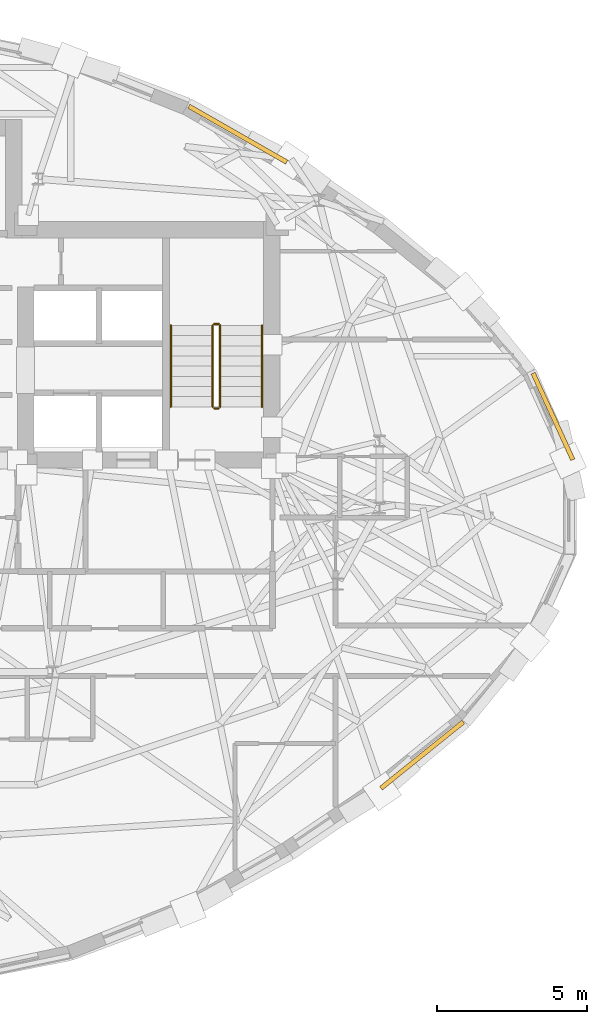
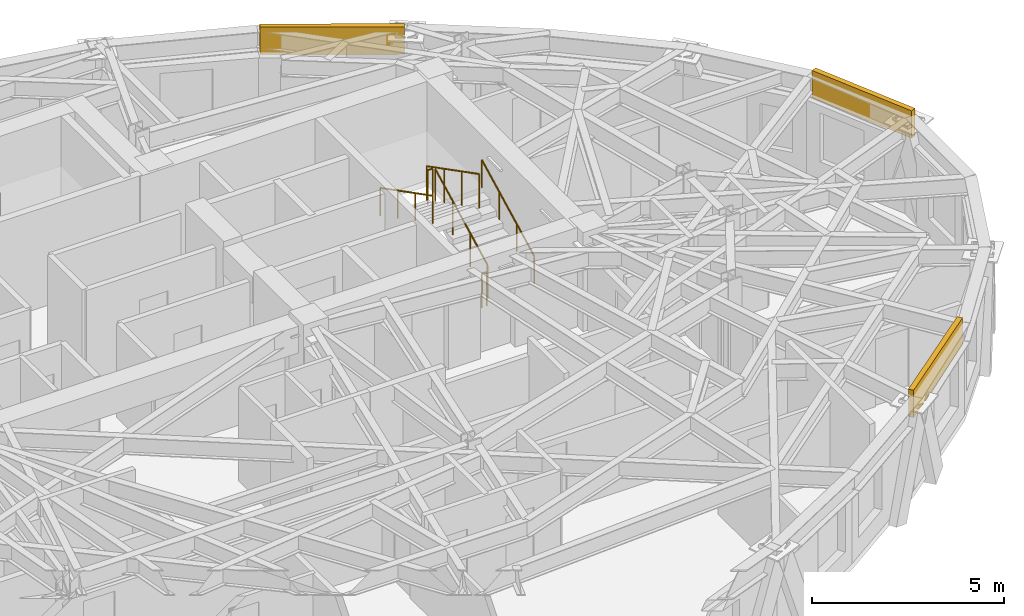
# One storey, part 14 of 14: 6 railings, 3 coverings.
"""IFC4 building model written with IfcOpenShell, lengths in metres."""

from ifc_helpers import new_model, si_unit, direction, frame, origin, origin_2d, place, context, subcontext, project, spatial, rectangle, circle, extrude, material, layer, layer_set, type_object, element, save


model = new_model("IFC4")

# Units and contexts
model_context = context("Model", 3, precision=1e-05, world=origin(), true_north=direction((0.0, 1.0)))
body_context = subcontext(model_context, "Body", "Model", "MODEL_VIEW")
ifc_project = project(units=[si_unit("LENGTHUNIT", "METRE"), si_unit("AREAUNIT", "SQUARE_METRE"), si_unit("VOLUMEUNIT", "CUBIC_METRE"), si_unit("PLANEANGLEUNIT", "RADIAN"), si_unit("MASSUNIT", "GRAM", prefix="KILO")], contexts=[model_context])

# Site, building, storey
site_placement = place(None, origin())
site = spatial("IfcSite", under=ifc_project, at=site_placement, CompositionType="ELEMENT")
building_placement = place(site_placement, origin())
building = spatial("IfcBuilding", under=site, at=building_placement, Name="Keldmark Tower", CompositionType="ELEMENT")
storey_placement = place(building_placement, frame((0.0, 0.0, 213.14990234375)))
storey = spatial("IfcBuildingStorey", under=building, at=storey_placement, Name="L59", CompositionType="ELEMENT", Elevation=213.14990234375)

# Coverings
ifc_material_1 = material(Name="Honed Kasota Buff Dolomitic Limestone", Category="masonry")
ifc_layer = layer(ifc_material_1, 0.074951171875)
ifc_layer_set = layer_set([ifc_layer], Name="Honed Kasota Buff Dolomitic Limestone")
covering_type = type_object("IfcCoveringType", Name="Kasota Buff Limestone Spandrel Cladding Band", PredefinedType="CLADDING", material=ifc_layer_set)
covering_1_placement = place(storey_placement, frame((22.82080078125, 3.02978515625, 2.260009765625), z_axis=(0.0, 0.0, 1.0), x_axis=(-0.417359601968, 0.908741416821, 0.0)))
element("IfcCovering", 1, at=covering_1_placement, inside=storey, type_object=covering_type, Name="L59 Kasota Limestone Spandrel Band 01", PredefinedType="CLADDING", context=body_context, shape_type="SweptSolid", body=[
    extrude(rectangle(XDim=3.177978515625, YDim=0.14990234375, at=origin_2d()), origin(), (0.0, 0.0, 1.0), 0.8701171875),
])
covering_2_placement = place(storey_placement, frame((12.289306640625, 12.46337890625, 2.260009765625), z_axis=(0.0, 0.0, 1.0), x_axis=(-0.868337350424, 0.495974037484, 0.0)))
element("IfcCovering", 2, at=covering_2_placement, inside=storey, type_object=covering_type, Name="L59 Kasota Limestone Spandrel Band 05", PredefinedType="CLADDING", context=body_context, shape_type="SweptSolid", body=[
    extrude(rectangle(XDim=3.765380859375, YDim=0.14990234375, at=origin_2d()), origin(), (0.0, 0.0, 1.0), 0.8701171875),
])
covering_3_placement = place(storey_placement, frame((18.447998046875, -8.28662109375, 2.260009765625), z_axis=(0.0, 0.0, 1.0), x_axis=(0.778812749127, 0.627256488047, 0.0)))
element("IfcCovering", 3, at=covering_3_placement, inside=storey, type_object=covering_type, Name="L59 Kasota Limestone Spandrel Band 29", PredefinedType="CLADDING", context=body_context, shape_type="SweptSolid", body=[
    extrude(rectangle(XDim=3.528076171875, YDim=0.14990234375, at=origin_2d()), origin(), (0.0, 0.0, 1.0), 0.8701171875),
])

# Railings
ifc_material_2 = material(Name="Painted Steel ASTM A500 Grade B", Category="steel")
railing_type_1 = type_object("IfcRailingType", Name="Painted Steel Stair Well Guard 1100 mm", PredefinedType="GUARDRAIL", material=ifc_material_2)
railing_1_placement = place(storey_placement, frame((11.699951171875, 3.35009765625, 0.175048828125)))
element("IfcRailing", 4, at=railing_1_placement, inside=storey, type_object=railing_type_1, Name="L59 ST2 stair guard 1", PredefinedType="GUARDRAIL", context=body_context, shape_type="SweptSolid", body=[
    extrude(circle(Radius=0.02392578125, at=origin_2d()), frame((0.0, 0.0, 1.076171875), z_axis=(0.0, 0.889114319608, 0.457685182924), x_axis=(-1.0, 0.0, 0.0)), (0.0, 0.0, 1.0), 3.05908203125),
    extrude(circle(Radius=0.02099609375, at=origin_2d()), origin(), (0.0, 0.0, 1.0), 1.052001953125),
    extrude(circle(Radius=0.02099609375, at=origin_2d()), frame((0.0, 0.90673828125, 0.466796875)), (0.0, 0.0, 1.0), 1.052001953125),
    extrude(circle(Radius=0.02099609375, at=origin_2d()), frame((0.0, 1.813232421875, 0.933349609375)), (0.0, 0.0, 1.0), 1.052001953125),
    extrude(circle(Radius=0.02099609375, at=origin_2d()), frame((0.0, 2.719970703125, 1.400146484375)), (0.0, 0.0, 1.0), 1.052001953125),
])
railing_2_placement = place(storey_placement, frame((11.64990234375, 6.1201171875, 1.5751953125)))
element("IfcRailing", 5, at=railing_2_placement, inside=storey, type_object=railing_type_1, Name="L59 ST2 stair guard 2", PredefinedType="GUARDRAIL", context=body_context, shape_type="SweptSolid", body=[
    extrude(circle(Radius=0.02392578125, at=origin_2d()), frame((0.0, 0.0, 1.076171875), z_axis=(-1.0, 0.0, 0.0), x_axis=(0.0, -1.0, 0.0)), (0.0, 0.0, 1.0), 0.14990234375),
    extrude(circle(Radius=0.02099609375, at=origin_2d()), origin(), (0.0, 0.0, 1.0), 1.052001953125),
    extrude(circle(Radius=0.02099609375, at=origin_2d()), frame((-0.14990234375, 0.0, 0.0)), (0.0, 0.0, 1.0), 1.052001953125),
])
railing_3_placement = place(storey_placement, frame((11.449951171875, 6.070068359375, 1.75)))
element("IfcRailing", 6, at=railing_3_placement, inside=storey, type_object=railing_type_1, Name="L59 ST2 stair guard 3", PredefinedType="GUARDRAIL", context=body_context, shape_type="SweptSolid", body=[
    extrude(circle(Radius=0.02392578125, at=origin_2d()), frame((0.0, 0.0, 1.076171875), z_axis=(0.0, -0.889114319608, 0.457685182924), x_axis=(1.0, 0.0, 0.0)), (0.0, 0.0, 1.0), 3.05908203125),
    extrude(circle(Radius=0.02099609375, at=origin_2d()), origin(), (0.0, 0.0, 1.0), 1.052001953125),
    extrude(circle(Radius=0.02099609375, at=origin_2d()), frame((0.0, -0.90673828125, 0.466796875)), (0.0, 0.0, 1.0), 1.052001953125),
    extrude(circle(Radius=0.02099609375, at=origin_2d()), frame((0.0, -1.813232421875, 0.933349609375)), (0.0, 0.0, 1.0), 1.052001953125),
    extrude(circle(Radius=0.02099609375, at=origin_2d()), frame((0.0, -2.719970703125, 1.400146484375)), (0.0, 0.0, 1.0), 1.052001953125),
])
railing_4_placement = place(storey_placement, frame((11.64990234375, 3.300048828125, 0.0)))
element("IfcRailing", 7, at=railing_4_placement, inside=storey, type_object=railing_type_1, Name="L59 ST2 stair guard 4", PredefinedType="GUARDRAIL", context=body_context, shape_type="SweptSolid", body=[
    extrude(circle(Radius=0.02392578125, at=origin_2d()), frame((0.0, 0.0, 1.076171875), z_axis=(-1.0, 0.0, 0.0), x_axis=(0.0, -1.0, 0.0)), (0.0, 0.0, 1.0), 0.14990234375),
    extrude(circle(Radius=0.02099609375, at=origin_2d()), origin(), (0.0, 0.0, 1.0), 1.052001953125),
    extrude(circle(Radius=0.02099609375, at=origin_2d()), frame((-0.14990234375, 0.0, 0.0)), (0.0, 0.0, 1.0), 1.052001953125),
])
ifc_material_3 = material(Name="Stainless Steel AISI 316L", Category="steel")
railing_type_2 = type_object("IfcRailingType", Name="Stainless Steel Stair Handrail 900 mm", PredefinedType="HANDRAIL", material=ifc_material_3)
railing_5_placement = place(storey_placement, frame((13.10009765625, 3.35009765625, 0.175048828125)))
element("IfcRailing", 8, at=railing_5_placement, inside=storey, type_object=railing_type_2, Name="L59 ST2 stair handrail 1", PredefinedType="HANDRAIL", context=body_context, shape_type="SweptSolid", body=[
    extrude(circle(Radius=0.02392578125, at=origin_2d()), frame((0.0, 0.0, 0.8759765625), z_axis=(0.0, 0.889114319608, 0.457685182924), x_axis=(-1.0, 0.0, 0.0)), (0.0, 0.0, 1.0), 3.05908203125),
    extrude(circle(Radius=0.02099609375, at=origin_2d()), origin(), (0.0, 0.0, 1.0), 0.851806640625),
    extrude(circle(Radius=0.02099609375, at=origin_2d()), frame((0.0, 0.90673828125, 0.466796875)), (0.0, 0.0, 1.0), 0.851806640625),
    extrude(circle(Radius=0.02099609375, at=origin_2d()), frame((0.0, 1.813232421875, 0.933349609375)), (0.0, 0.0, 1.0), 0.851806640625),
    extrude(circle(Radius=0.02099609375, at=origin_2d()), frame((0.0, 2.719970703125, 1.400146484375)), (0.0, 0.0, 1.0), 0.851806640625),
])
railing_6_placement = place(storey_placement, frame((10.050048828125, 6.070068359375, 1.75)))
element("IfcRailing", 9, at=railing_6_placement, inside=storey, type_object=railing_type_2, Name="L59 ST2 stair handrail 2", PredefinedType="HANDRAIL", context=body_context, shape_type="SweptSolid", body=[
    extrude(circle(Radius=0.02392578125, at=origin_2d()), frame((0.0, 0.0, 0.8759765625), z_axis=(0.0, -0.889114319608, 0.457685182924), x_axis=(1.0, 0.0, 0.0)), (0.0, 0.0, 1.0), 3.05908203125),
    extrude(circle(Radius=0.02099609375, at=origin_2d()), origin(), (0.0, 0.0, 1.0), 0.851806640625),
    extrude(circle(Radius=0.02099609375, at=origin_2d()), frame((0.0, -0.90673828125, 0.466796875)), (0.0, 0.0, 1.0), 0.851806640625),
    extrude(circle(Radius=0.02099609375, at=origin_2d()), frame((0.0, -1.813232421875, 0.933349609375)), (0.0, 0.0, 1.0), 0.851806640625),
    extrude(circle(Radius=0.02099609375, at=origin_2d()), frame((0.0, -2.719970703125, 1.400146484375)), (0.0, 0.0, 1.0), 0.851806640625),
])

save(model, "model.ifc")
